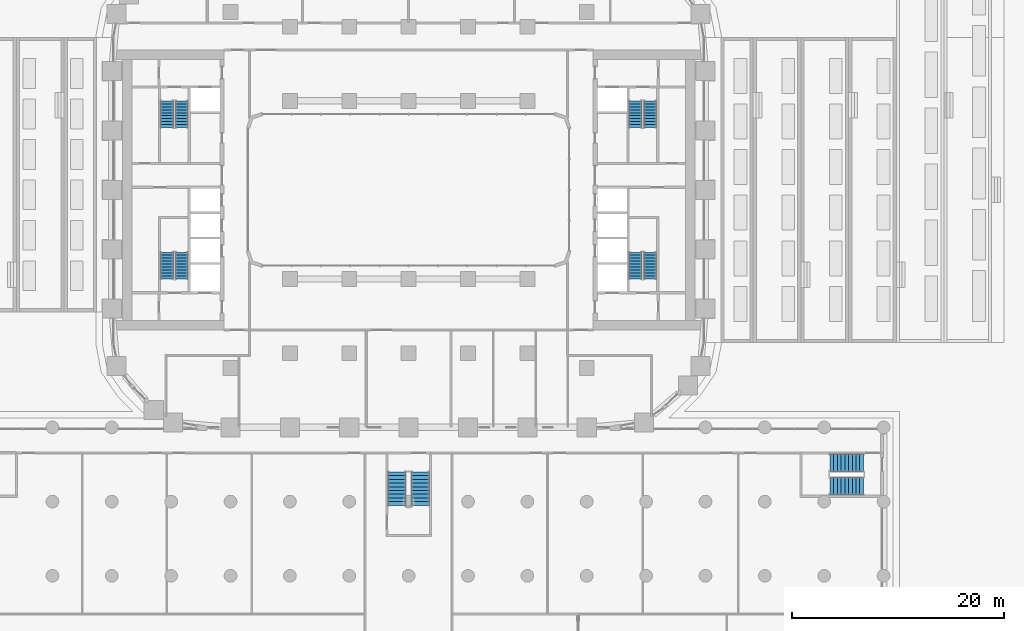
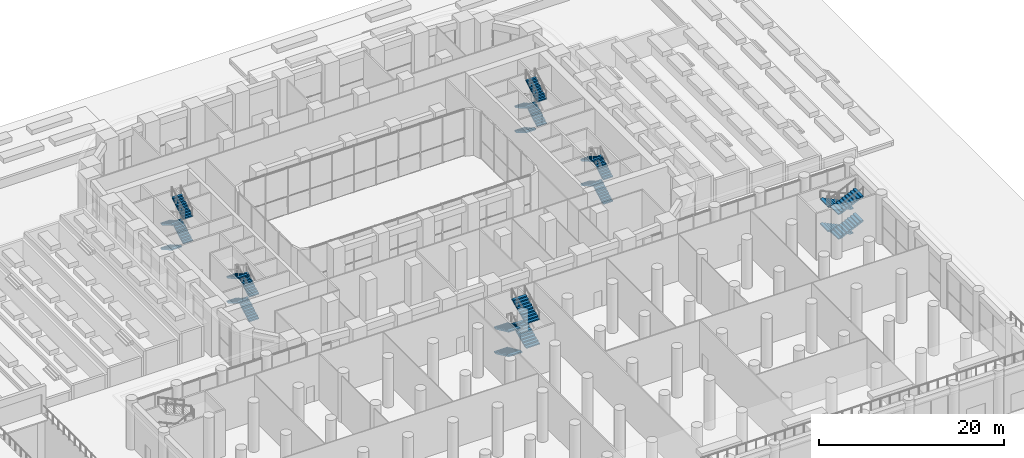
# One storey, part 40 of 51: 24 stair flights, 6 elements without a shape of their own.
"""IFC4 building model written with IfcOpenShell, lengths in metres."""

from ifc_helpers import new_model, si_unit, direction, frame, origin, place, context, subcontext, project, spatial, polyline, outline, extrude, material, type_object, element, aggregate, save


model = new_model("IFC4")

# Units and contexts
model_context = context("Model", 3, precision=1e-05, world=origin(), true_north=direction((0.0, 1.0)))
body_context = subcontext(model_context, "Body", "Model", "MODEL_VIEW")
ifc_project = project(units=[si_unit("LENGTHUNIT", "METRE"), si_unit("AREAUNIT", "SQUARE_METRE"), si_unit("VOLUMEUNIT", "CUBIC_METRE"), si_unit("PLANEANGLEUNIT", "RADIAN"), si_unit("MASSUNIT", "GRAM", prefix="KILO")], contexts=[model_context])

# Site, building, storey
site_placement = place(None, origin())
site = spatial("IfcSite", under=ifc_project, at=site_placement, CompositionType="ELEMENT")
building_placement = place(site_placement, origin())
building = spatial("IfcBuilding", under=site, at=building_placement, Name="Kiln Ring Residences", CompositionType="ELEMENT")
storey_placement = place(building_placement, origin())
storey = spatial("IfcBuildingStorey", under=building, at=storey_placement, Name="L00", CompositionType="ELEMENT", Elevation=0.0)

# Stair, stair flights
ifc_material_1 = material(Name="Concrete C40/50", Category="concrete")
stair_type_1 = type_object("IfcStairType", Name="CORE-STAIR", PredefinedType="HALF_TURN_STAIR", material=ifc_material_1)
placement = place(storey_placement, origin())
stair_1 = element("IfcStair", 1, at=placement, inside=storey, type_object=stair_type_1, Name="L00 stair W-STN", PredefinedType="HALF_TURN_STAIR")
ifc_material_2 = material(Name="Concrete C40/50", Category="concrete")
stair_flight_type_1 = type_object("IfcStairFlightType", Name="CORE-STAIR-FLIGHT", PredefinedType="STRAIGHT", material=ifc_material_2)
stair_flight_1_placement = place(storey_placement, frame((-22.800048828125, 8.39990234375, 0.0), z_axis=(0.0, 0.0, 1.0), x_axis=(0.0, -1.0, 0.0)))
stair_flight_1 = element("IfcStairFlight", 2, at=stair_flight_1_placement, type_object=stair_flight_type_1, Name="W-STN flight 1", NumberOfRisers=10, NumberOfTreads=9, PredefinedType="STRAIGHT", RiserHeight=0.1625, TreadLength=0.28, context=body_context, shape_type="SweptSolid", body=[
    extrude(outline(polyline([(0.0, 0.0), (0.0, 0.16259765625), (0.280029296875, 0.16259765625), (0.280029296875, 0.324951171875), (0.56005859375, 0.324951171875), (0.56005859375, 0.487548828125), (0.840087890625, 0.487548828125), (0.840087890625, 0.64990234375), (1.1201171875, 0.64990234375), (1.1201171875, 0.8125), (1.39990234375, 0.8125), (1.39990234375, 0.97509765625), (1.679931640625, 0.97509765625), (1.679931640625, 1.137451171875), (1.9599609375, 1.137451171875), (1.9599609375, 1.300048828125), (2.239990234375, 1.300048828125), (2.239990234375, 1.46240234375), (2.52001953125, 1.46240234375), (2.52001953125, 1.625), (2.52001953125, 1.2890625), (0.298583984375, 0.0), (0.0, 0.0)])), frame((0.0, 0.60009765625, 0.0), z_axis=(0.0, -1.0, 0.0), x_axis=(1.0, 0.0, 0.0)), (0.0, 0.0, 1.0), 1.199951171875),
])
stair_flight_2_placement = place(storey_placement, frame((-21.39990234375, 5.8798828125, 1.625), z_axis=(0.0, 0.0, 1.0), x_axis=(0.0, 1.0, 0.0)))
stair_flight_2 = element("IfcStairFlight", 3, at=stair_flight_2_placement, type_object=stair_flight_type_1, Name="W-STN flight 2", NumberOfRisers=10, NumberOfTreads=9, PredefinedType="STRAIGHT", RiserHeight=0.1625, TreadLength=0.28, context=body_context, shape_type="SweptSolid", body=[
    extrude(outline(polyline([(0.0, 0.0), (0.0, 0.16259765625), (0.280029296875, 0.16259765625), (0.280029296875, 0.324951171875), (0.56005859375, 0.324951171875), (0.56005859375, 0.487548828125), (0.840087890625, 0.487548828125), (0.840087890625, 0.64990234375), (1.1201171875, 0.64990234375), (1.1201171875, 0.8125), (1.39990234375, 0.8125), (1.39990234375, 0.97509765625), (1.679931640625, 0.97509765625), (1.679931640625, 1.137451171875), (1.9599609375, 1.137451171875), (1.9599609375, 1.300048828125), (2.239990234375, 1.300048828125), (2.239990234375, 1.46240234375), (2.52001953125, 1.46240234375), (2.52001953125, 1.625), (2.52001953125, 1.2890625), (0.298583984375, 0.0), (0.0, 0.0)])), frame((0.0, 0.60009765625, 0.0), z_axis=(0.0, -1.0, 0.0), x_axis=(1.0, 0.0, 0.0)), (0.0, 0.0, 1.0), 1.199951171875),
])
stair_flight_3_placement = place(storey_placement, frame((-22.800048828125, 8.39990234375, 3.25), z_axis=(0.0, 0.0, 1.0), x_axis=(0.0, -1.0, 0.0)))
stair_flight_3 = element("IfcStairFlight", 4, at=stair_flight_3_placement, type_object=stair_flight_type_1, Name="W-STN flight 3", NumberOfRisers=10, NumberOfTreads=9, PredefinedType="STRAIGHT", RiserHeight=0.1625, TreadLength=0.28, context=body_context, shape_type="SweptSolid", body=[
    extrude(outline(polyline([(0.0, 0.0), (0.0, 0.16259765625), (0.280029296875, 0.16259765625), (0.280029296875, 0.324951171875), (0.56005859375, 0.324951171875), (0.56005859375, 0.487548828125), (0.840087890625, 0.487548828125), (0.840087890625, 0.64990234375), (1.1201171875, 0.64990234375), (1.1201171875, 0.8125), (1.39990234375, 0.8125), (1.39990234375, 0.97509765625), (1.679931640625, 0.97509765625), (1.679931640625, 1.137451171875), (1.9599609375, 1.137451171875), (1.9599609375, 1.300048828125), (2.239990234375, 1.300048828125), (2.239990234375, 1.46240234375), (2.52001953125, 1.46240234375), (2.52001953125, 1.625), (2.52001953125, 1.2890625), (0.298583984375, 0.0), (0.0, 0.0)])), frame((0.0, 0.60009765625, 0.0), z_axis=(0.0, -1.0, 0.0), x_axis=(1.0, 0.0, 0.0)), (0.0, 0.0, 1.0), 1.199951171875),
])
stair_flight_4_placement = place(storey_placement, frame((-21.39990234375, 5.8798828125, 4.875), z_axis=(0.0, 0.0, 1.0), x_axis=(0.0, 1.0, 0.0)))
stair_flight_4 = element("IfcStairFlight", 5, at=stair_flight_4_placement, type_object=stair_flight_type_1, Name="W-STN flight 4", NumberOfRisers=10, NumberOfTreads=9, PredefinedType="STRAIGHT", RiserHeight=0.1625, TreadLength=0.28, context=body_context, shape_type="SweptSolid", body=[
    extrude(outline(polyline([(0.0, 0.0), (0.0, 0.16259765625), (0.280029296875, 0.16259765625), (0.280029296875, 0.324951171875), (0.56005859375, 0.324951171875), (0.56005859375, 0.487548828125), (0.840087890625, 0.487548828125), (0.840087890625, 0.64990234375), (1.1201171875, 0.64990234375), (1.1201171875, 0.8125), (1.39990234375, 0.8125), (1.39990234375, 0.97509765625), (1.679931640625, 0.97509765625), (1.679931640625, 1.137451171875), (1.9599609375, 1.137451171875), (1.9599609375, 1.300048828125), (2.239990234375, 1.300048828125), (2.239990234375, 1.46240234375), (2.52001953125, 1.46240234375), (2.52001953125, 1.625), (2.52001953125, 1.2890625), (0.298583984375, 0.0), (0.0, 0.0)])), frame((0.0, 0.60009765625, 0.0), z_axis=(0.0, -1.0, 0.0), x_axis=(1.0, 0.0, 0.0)), (0.0, 0.0, 1.0), 1.199951171875),
])
aggregate(stair_1, [stair_flight_1, stair_flight_2, stair_flight_3, stair_flight_4])

stair_2 = element("IfcStair", 6, at=placement, inside=storey, type_object=stair_type_1, Name="L00 stair W-STS", PredefinedType="HALF_TURN_STAIR")
stair_flight_5_placement = place(storey_placement, frame((-21.39990234375, -8.39990234375, 0.0), z_axis=(0.0, 0.0, 1.0), x_axis=(0.0, 1.0, 0.0)))
stair_flight_5 = element("IfcStairFlight", 7, at=stair_flight_5_placement, type_object=stair_flight_type_1, Name="W-STS flight 1", NumberOfRisers=10, NumberOfTreads=9, PredefinedType="STRAIGHT", RiserHeight=0.1625, TreadLength=0.28, context=body_context, shape_type="SweptSolid", body=[
    extrude(outline(polyline([(0.0, 0.0), (0.0, 0.16259765625), (0.280029296875, 0.16259765625), (0.280029296875, 0.324951171875), (0.56005859375, 0.324951171875), (0.56005859375, 0.487548828125), (0.840087890625, 0.487548828125), (0.840087890625, 0.64990234375), (1.1201171875, 0.64990234375), (1.1201171875, 0.8125), (1.39990234375, 0.8125), (1.39990234375, 0.97509765625), (1.679931640625, 0.97509765625), (1.679931640625, 1.137451171875), (1.9599609375, 1.137451171875), (1.9599609375, 1.300048828125), (2.239990234375, 1.300048828125), (2.239990234375, 1.46240234375), (2.52001953125, 1.46240234375), (2.52001953125, 1.625), (2.52001953125, 1.2890625), (0.298583984375, 0.0), (0.0, 0.0)])), frame((0.0, 0.60009765625, 0.0), z_axis=(0.0, -1.0, 0.0), x_axis=(1.0, 0.0, 0.0)), (0.0, 0.0, 1.0), 1.199951171875),
])
stair_flight_6_placement = place(storey_placement, frame((-22.800048828125, -5.8798828125, 1.625), z_axis=(0.0, 0.0, 1.0), x_axis=(0.0, -1.0, 0.0)))
stair_flight_6 = element("IfcStairFlight", 8, at=stair_flight_6_placement, type_object=stair_flight_type_1, Name="W-STS flight 2", NumberOfRisers=10, NumberOfTreads=9, PredefinedType="STRAIGHT", RiserHeight=0.1625, TreadLength=0.28, context=body_context, shape_type="SweptSolid", body=[
    extrude(outline(polyline([(0.0, 0.0), (0.0, 0.16259765625), (0.280029296875, 0.16259765625), (0.280029296875, 0.324951171875), (0.56005859375, 0.324951171875), (0.56005859375, 0.487548828125), (0.840087890625, 0.487548828125), (0.840087890625, 0.64990234375), (1.1201171875, 0.64990234375), (1.1201171875, 0.8125), (1.39990234375, 0.8125), (1.39990234375, 0.97509765625), (1.679931640625, 0.97509765625), (1.679931640625, 1.137451171875), (1.9599609375, 1.137451171875), (1.9599609375, 1.300048828125), (2.239990234375, 1.300048828125), (2.239990234375, 1.46240234375), (2.52001953125, 1.46240234375), (2.52001953125, 1.625), (2.52001953125, 1.2890625), (0.298583984375, 0.0), (0.0, 0.0)])), frame((0.0, 0.60009765625, 0.0), z_axis=(0.0, -1.0, 0.0), x_axis=(1.0, 0.0, 0.0)), (0.0, 0.0, 1.0), 1.199951171875),
])
stair_flight_7_placement = place(storey_placement, frame((-21.39990234375, -8.39990234375, 3.25), z_axis=(0.0, 0.0, 1.0), x_axis=(0.0, 1.0, 0.0)))
stair_flight_7 = element("IfcStairFlight", 9, at=stair_flight_7_placement, type_object=stair_flight_type_1, Name="W-STS flight 3", NumberOfRisers=10, NumberOfTreads=9, PredefinedType="STRAIGHT", RiserHeight=0.1625, TreadLength=0.28, context=body_context, shape_type="SweptSolid", body=[
    extrude(outline(polyline([(0.0, 0.0), (0.0, 0.16259765625), (0.280029296875, 0.16259765625), (0.280029296875, 0.324951171875), (0.56005859375, 0.324951171875), (0.56005859375, 0.487548828125), (0.840087890625, 0.487548828125), (0.840087890625, 0.64990234375), (1.1201171875, 0.64990234375), (1.1201171875, 0.8125), (1.39990234375, 0.8125), (1.39990234375, 0.97509765625), (1.679931640625, 0.97509765625), (1.679931640625, 1.137451171875), (1.9599609375, 1.137451171875), (1.9599609375, 1.300048828125), (2.239990234375, 1.300048828125), (2.239990234375, 1.46240234375), (2.52001953125, 1.46240234375), (2.52001953125, 1.625), (2.52001953125, 1.2890625), (0.298583984375, 0.0), (0.0, 0.0)])), frame((0.0, 0.60009765625, 0.0), z_axis=(0.0, -1.0, 0.0), x_axis=(1.0, 0.0, 0.0)), (0.0, 0.0, 1.0), 1.199951171875),
])
stair_flight_8_placement = place(storey_placement, frame((-22.800048828125, -5.8798828125, 4.875), z_axis=(0.0, 0.0, 1.0), x_axis=(0.0, -1.0, 0.0)))
stair_flight_8 = element("IfcStairFlight", 10, at=stair_flight_8_placement, type_object=stair_flight_type_1, Name="W-STS flight 4", NumberOfRisers=10, NumberOfTreads=9, PredefinedType="STRAIGHT", RiserHeight=0.1625, TreadLength=0.28, context=body_context, shape_type="SweptSolid", body=[
    extrude(outline(polyline([(0.0, 0.0), (0.0, 0.16259765625), (0.280029296875, 0.16259765625), (0.280029296875, 0.324951171875), (0.56005859375, 0.324951171875), (0.56005859375, 0.487548828125), (0.840087890625, 0.487548828125), (0.840087890625, 0.64990234375), (1.1201171875, 0.64990234375), (1.1201171875, 0.8125), (1.39990234375, 0.8125), (1.39990234375, 0.97509765625), (1.679931640625, 0.97509765625), (1.679931640625, 1.137451171875), (1.9599609375, 1.137451171875), (1.9599609375, 1.300048828125), (2.239990234375, 1.300048828125), (2.239990234375, 1.46240234375), (2.52001953125, 1.46240234375), (2.52001953125, 1.625), (2.52001953125, 1.2890625), (0.298583984375, 0.0), (0.0, 0.0)])), frame((0.0, 0.60009765625, 0.0), z_axis=(0.0, -1.0, 0.0), x_axis=(1.0, 0.0, 0.0)), (0.0, 0.0, 1.0), 1.199951171875),
])
aggregate(stair_2, [stair_flight_5, stair_flight_6, stair_flight_7, stair_flight_8])

stair_3 = element("IfcStair", 11, at=placement, inside=storey, type_object=stair_type_1, Name="L00 stair E-STN", PredefinedType="HALF_TURN_STAIR")
stair_flight_9_placement = place(storey_placement, frame((21.39990234375, 8.39990234375, 0.0), z_axis=(0.0, 0.0, 1.0), x_axis=(0.0, -1.0, 0.0)))
stair_flight_9 = element("IfcStairFlight", 12, at=stair_flight_9_placement, type_object=stair_flight_type_1, Name="E-STN flight 1", NumberOfRisers=10, NumberOfTreads=9, PredefinedType="STRAIGHT", RiserHeight=0.1625, TreadLength=0.28, context=body_context, shape_type="SweptSolid", body=[
    extrude(outline(polyline([(0.0, 0.0), (0.0, 0.16259765625), (0.280029296875, 0.16259765625), (0.280029296875, 0.324951171875), (0.56005859375, 0.324951171875), (0.56005859375, 0.487548828125), (0.840087890625, 0.487548828125), (0.840087890625, 0.64990234375), (1.1201171875, 0.64990234375), (1.1201171875, 0.8125), (1.39990234375, 0.8125), (1.39990234375, 0.97509765625), (1.679931640625, 0.97509765625), (1.679931640625, 1.137451171875), (1.9599609375, 1.137451171875), (1.9599609375, 1.300048828125), (2.239990234375, 1.300048828125), (2.239990234375, 1.46240234375), (2.52001953125, 1.46240234375), (2.52001953125, 1.625), (2.52001953125, 1.2890625), (0.298583984375, 0.0), (0.0, 0.0)])), frame((0.0, 0.60009765625, 0.0), z_axis=(0.0, -1.0, 0.0), x_axis=(1.0, 0.0, 0.0)), (0.0, 0.0, 1.0), 1.199951171875),
])
stair_flight_10_placement = place(storey_placement, frame((22.800048828125, 5.8798828125, 1.625), z_axis=(0.0, 0.0, 1.0), x_axis=(0.0, 1.0, 0.0)))
stair_flight_10 = element("IfcStairFlight", 13, at=stair_flight_10_placement, type_object=stair_flight_type_1, Name="E-STN flight 2", NumberOfRisers=10, NumberOfTreads=9, PredefinedType="STRAIGHT", RiserHeight=0.1625, TreadLength=0.28, context=body_context, shape_type="SweptSolid", body=[
    extrude(outline(polyline([(0.0, 0.0), (0.0, 0.16259765625), (0.280029296875, 0.16259765625), (0.280029296875, 0.324951171875), (0.56005859375, 0.324951171875), (0.56005859375, 0.487548828125), (0.840087890625, 0.487548828125), (0.840087890625, 0.64990234375), (1.1201171875, 0.64990234375), (1.1201171875, 0.8125), (1.39990234375, 0.8125), (1.39990234375, 0.97509765625), (1.679931640625, 0.97509765625), (1.679931640625, 1.137451171875), (1.9599609375, 1.137451171875), (1.9599609375, 1.300048828125), (2.239990234375, 1.300048828125), (2.239990234375, 1.46240234375), (2.52001953125, 1.46240234375), (2.52001953125, 1.625), (2.52001953125, 1.2890625), (0.298583984375, 0.0), (0.0, 0.0)])), frame((0.0, 0.60009765625, 0.0), z_axis=(0.0, -1.0, 0.0), x_axis=(1.0, 0.0, 0.0)), (0.0, 0.0, 1.0), 1.199951171875),
])
stair_flight_11_placement = place(storey_placement, frame((21.39990234375, 8.39990234375, 3.25), z_axis=(0.0, 0.0, 1.0), x_axis=(0.0, -1.0, 0.0)))
stair_flight_11 = element("IfcStairFlight", 14, at=stair_flight_11_placement, type_object=stair_flight_type_1, Name="E-STN flight 3", NumberOfRisers=10, NumberOfTreads=9, PredefinedType="STRAIGHT", RiserHeight=0.1625, TreadLength=0.28, context=body_context, shape_type="SweptSolid", body=[
    extrude(outline(polyline([(0.0, 0.0), (0.0, 0.16259765625), (0.280029296875, 0.16259765625), (0.280029296875, 0.324951171875), (0.56005859375, 0.324951171875), (0.56005859375, 0.487548828125), (0.840087890625, 0.487548828125), (0.840087890625, 0.64990234375), (1.1201171875, 0.64990234375), (1.1201171875, 0.8125), (1.39990234375, 0.8125), (1.39990234375, 0.97509765625), (1.679931640625, 0.97509765625), (1.679931640625, 1.137451171875), (1.9599609375, 1.137451171875), (1.9599609375, 1.300048828125), (2.239990234375, 1.300048828125), (2.239990234375, 1.46240234375), (2.52001953125, 1.46240234375), (2.52001953125, 1.625), (2.52001953125, 1.2890625), (0.298583984375, 0.0), (0.0, 0.0)])), frame((0.0, 0.60009765625, 0.0), z_axis=(0.0, -1.0, 0.0), x_axis=(1.0, 0.0, 0.0)), (0.0, 0.0, 1.0), 1.199951171875),
])
stair_flight_12_placement = place(storey_placement, frame((22.800048828125, 5.8798828125, 4.875), z_axis=(0.0, 0.0, 1.0), x_axis=(0.0, 1.0, 0.0)))
stair_flight_12 = element("IfcStairFlight", 15, at=stair_flight_12_placement, type_object=stair_flight_type_1, Name="E-STN flight 4", NumberOfRisers=10, NumberOfTreads=9, PredefinedType="STRAIGHT", RiserHeight=0.1625, TreadLength=0.28, context=body_context, shape_type="SweptSolid", body=[
    extrude(outline(polyline([(0.0, 0.0), (0.0, 0.16259765625), (0.280029296875, 0.16259765625), (0.280029296875, 0.324951171875), (0.56005859375, 0.324951171875), (0.56005859375, 0.487548828125), (0.840087890625, 0.487548828125), (0.840087890625, 0.64990234375), (1.1201171875, 0.64990234375), (1.1201171875, 0.8125), (1.39990234375, 0.8125), (1.39990234375, 0.97509765625), (1.679931640625, 0.97509765625), (1.679931640625, 1.137451171875), (1.9599609375, 1.137451171875), (1.9599609375, 1.300048828125), (2.239990234375, 1.300048828125), (2.239990234375, 1.46240234375), (2.52001953125, 1.46240234375), (2.52001953125, 1.625), (2.52001953125, 1.2890625), (0.298583984375, 0.0), (0.0, 0.0)])), frame((0.0, 0.60009765625, 0.0), z_axis=(0.0, -1.0, 0.0), x_axis=(1.0, 0.0, 0.0)), (0.0, 0.0, 1.0), 1.199951171875),
])
aggregate(stair_3, [stair_flight_9, stair_flight_10, stair_flight_11, stair_flight_12])

stair_4 = element("IfcStair", 16, at=placement, inside=storey, type_object=stair_type_1, Name="L00 stair E-STS", PredefinedType="HALF_TURN_STAIR")
stair_flight_13_placement = place(storey_placement, frame((22.800048828125, -8.39990234375, 0.0), z_axis=(0.0, 0.0, 1.0), x_axis=(0.0, 1.0, 0.0)))
stair_flight_13 = element("IfcStairFlight", 17, at=stair_flight_13_placement, type_object=stair_flight_type_1, Name="E-STS flight 1", NumberOfRisers=10, NumberOfTreads=9, PredefinedType="STRAIGHT", RiserHeight=0.1625, TreadLength=0.28, context=body_context, shape_type="SweptSolid", body=[
    extrude(outline(polyline([(0.0, 0.0), (0.0, 0.16259765625), (0.280029296875, 0.16259765625), (0.280029296875, 0.324951171875), (0.56005859375, 0.324951171875), (0.56005859375, 0.487548828125), (0.840087890625, 0.487548828125), (0.840087890625, 0.64990234375), (1.1201171875, 0.64990234375), (1.1201171875, 0.8125), (1.39990234375, 0.8125), (1.39990234375, 0.97509765625), (1.679931640625, 0.97509765625), (1.679931640625, 1.137451171875), (1.9599609375, 1.137451171875), (1.9599609375, 1.300048828125), (2.239990234375, 1.300048828125), (2.239990234375, 1.46240234375), (2.52001953125, 1.46240234375), (2.52001953125, 1.625), (2.52001953125, 1.2890625), (0.298583984375, 0.0), (0.0, 0.0)])), frame((0.0, 0.60009765625, 0.0), z_axis=(0.0, -1.0, 0.0), x_axis=(1.0, 0.0, 0.0)), (0.0, 0.0, 1.0), 1.199951171875),
])
stair_flight_14_placement = place(storey_placement, frame((21.39990234375, -5.8798828125, 1.625), z_axis=(0.0, 0.0, 1.0), x_axis=(0.0, -1.0, 0.0)))
stair_flight_14 = element("IfcStairFlight", 18, at=stair_flight_14_placement, type_object=stair_flight_type_1, Name="E-STS flight 2", NumberOfRisers=10, NumberOfTreads=9, PredefinedType="STRAIGHT", RiserHeight=0.1625, TreadLength=0.28, context=body_context, shape_type="SweptSolid", body=[
    extrude(outline(polyline([(0.0, 0.0), (0.0, 0.16259765625), (0.280029296875, 0.16259765625), (0.280029296875, 0.324951171875), (0.56005859375, 0.324951171875), (0.56005859375, 0.487548828125), (0.840087890625, 0.487548828125), (0.840087890625, 0.64990234375), (1.1201171875, 0.64990234375), (1.1201171875, 0.8125), (1.39990234375, 0.8125), (1.39990234375, 0.97509765625), (1.679931640625, 0.97509765625), (1.679931640625, 1.137451171875), (1.9599609375, 1.137451171875), (1.9599609375, 1.300048828125), (2.239990234375, 1.300048828125), (2.239990234375, 1.46240234375), (2.52001953125, 1.46240234375), (2.52001953125, 1.625), (2.52001953125, 1.2890625), (0.298583984375, 0.0), (0.0, 0.0)])), frame((0.0, 0.60009765625, 0.0), z_axis=(0.0, -1.0, 0.0), x_axis=(1.0, 0.0, 0.0)), (0.0, 0.0, 1.0), 1.199951171875),
])
stair_flight_15_placement = place(storey_placement, frame((22.800048828125, -8.39990234375, 3.25), z_axis=(0.0, 0.0, 1.0), x_axis=(0.0, 1.0, 0.0)))
stair_flight_15 = element("IfcStairFlight", 19, at=stair_flight_15_placement, type_object=stair_flight_type_1, Name="E-STS flight 3", NumberOfRisers=10, NumberOfTreads=9, PredefinedType="STRAIGHT", RiserHeight=0.1625, TreadLength=0.28, context=body_context, shape_type="SweptSolid", body=[
    extrude(outline(polyline([(0.0, 0.0), (0.0, 0.16259765625), (0.280029296875, 0.16259765625), (0.280029296875, 0.324951171875), (0.56005859375, 0.324951171875), (0.56005859375, 0.487548828125), (0.840087890625, 0.487548828125), (0.840087890625, 0.64990234375), (1.1201171875, 0.64990234375), (1.1201171875, 0.8125), (1.39990234375, 0.8125), (1.39990234375, 0.97509765625), (1.679931640625, 0.97509765625), (1.679931640625, 1.137451171875), (1.9599609375, 1.137451171875), (1.9599609375, 1.300048828125), (2.239990234375, 1.300048828125), (2.239990234375, 1.46240234375), (2.52001953125, 1.46240234375), (2.52001953125, 1.625), (2.52001953125, 1.2890625), (0.298583984375, 0.0), (0.0, 0.0)])), frame((0.0, 0.60009765625, 0.0), z_axis=(0.0, -1.0, 0.0), x_axis=(1.0, 0.0, 0.0)), (0.0, 0.0, 1.0), 1.199951171875),
])
stair_flight_16_placement = place(storey_placement, frame((21.39990234375, -5.8798828125, 4.875), z_axis=(0.0, 0.0, 1.0), x_axis=(0.0, -1.0, 0.0)))
stair_flight_16 = element("IfcStairFlight", 20, at=stair_flight_16_placement, type_object=stair_flight_type_1, Name="E-STS flight 4", NumberOfRisers=10, NumberOfTreads=9, PredefinedType="STRAIGHT", RiserHeight=0.1625, TreadLength=0.28, context=body_context, shape_type="SweptSolid", body=[
    extrude(outline(polyline([(0.0, 0.0), (0.0, 0.16259765625), (0.280029296875, 0.16259765625), (0.280029296875, 0.324951171875), (0.56005859375, 0.324951171875), (0.56005859375, 0.487548828125), (0.840087890625, 0.487548828125), (0.840087890625, 0.64990234375), (1.1201171875, 0.64990234375), (1.1201171875, 0.8125), (1.39990234375, 0.8125), (1.39990234375, 0.97509765625), (1.679931640625, 0.97509765625), (1.679931640625, 1.137451171875), (1.9599609375, 1.137451171875), (1.9599609375, 1.300048828125), (2.239990234375, 1.300048828125), (2.239990234375, 1.46240234375), (2.52001953125, 1.46240234375), (2.52001953125, 1.625), (2.52001953125, 1.2890625), (0.298583984375, 0.0), (0.0, 0.0)])), frame((0.0, 0.60009765625, 0.0), z_axis=(0.0, -1.0, 0.0), x_axis=(1.0, 0.0, 0.0)), (0.0, 0.0, 1.0), 1.199951171875),
])
aggregate(stair_4, [stair_flight_13, stair_flight_14, stair_flight_15, stair_flight_16])

ifc_material_3 = material(Name="Concrete C40/50", Category="concrete")
stair_type_2 = type_object("IfcStairType", Name="PODIUM-STAIR", PredefinedType="HALF_TURN_STAIR", material=ifc_material_3)
stair_5 = element("IfcStair", 21, at=placement, inside=storey, type_object=stair_type_2, Name="L00 exit stair PS-E", PredefinedType="HALF_TURN_STAIR")
ifc_material_4 = material(Name="Concrete C40/50", Category="concrete")
stair_flight_type_2 = type_object("IfcStairFlightType", Name="PODIUM-STAIR-FLIGHT", PredefinedType="STRAIGHT", material=ifc_material_4)
stair_flight_17_placement = place(storey_placement, frame((42.89990234375, -25.75, 0.0), z_axis=(0.0, 0.0, 1.0), x_axis=(-1.0, 0.0, 0.0)))
stair_flight_17 = element("IfcStairFlight", 22, at=stair_flight_17_placement, type_object=stair_flight_type_2, Name="PS-E flight 1", NumberOfRisers=10, NumberOfTreads=9, PredefinedType="STRAIGHT", RiserHeight=0.1625, TreadLength=0.35, context=body_context, shape_type="SweptSolid", body=[
    extrude(outline(polyline([(0.0, 0.0), (0.0, 0.16259765625), (0.35009765625, 0.16259765625), (0.35009765625, 0.324951171875), (0.699951171875, 0.324951171875), (0.699951171875, 0.487548828125), (1.050048828125, 0.487548828125), (1.050048828125, 0.64990234375), (1.39990234375, 0.64990234375), (1.39990234375, 0.8125), (1.75, 0.8125), (1.75, 0.97509765625), (2.10009765625, 0.97509765625), (2.10009765625, 1.137451171875), (2.449951171875, 1.137451171875), (2.449951171875, 1.300048828125), (2.800048828125, 1.300048828125), (2.800048828125, 1.46240234375), (3.14990234375, 1.46240234375), (3.14990234375, 1.625), (3.14990234375, 1.297119140625), (0.35595703125, 0.0), (0.0, 0.0)])), frame((0.0, 0.85009765625, 0.0), z_axis=(0.0, -1.0, 0.0), x_axis=(1.0, 0.0, 0.0)), (0.0, 0.0, 1.0), 1.699951171875),
])
stair_flight_18_placement = place(storey_placement, frame((39.75, -27.949951171875, 1.625), z_axis=(0.0, 0.0, 1.0), x_axis=(1.0, 0.0, 0.0)))
stair_flight_18 = element("IfcStairFlight", 23, at=stair_flight_18_placement, type_object=stair_flight_type_2, Name="PS-E flight 2", NumberOfRisers=10, NumberOfTreads=9, PredefinedType="STRAIGHT", RiserHeight=0.1625, TreadLength=0.35, context=body_context, shape_type="SweptSolid", body=[
    extrude(outline(polyline([(0.0, 0.0), (0.0, 0.16259765625), (0.35009765625, 0.16259765625), (0.35009765625, 0.324951171875), (0.699951171875, 0.324951171875), (0.699951171875, 0.487548828125), (1.050048828125, 0.487548828125), (1.050048828125, 0.64990234375), (1.39990234375, 0.64990234375), (1.39990234375, 0.8125), (1.75, 0.8125), (1.75, 0.97509765625), (2.10009765625, 0.97509765625), (2.10009765625, 1.137451171875), (2.449951171875, 1.137451171875), (2.449951171875, 1.300048828125), (2.800048828125, 1.300048828125), (2.800048828125, 1.46240234375), (3.14990234375, 1.46240234375), (3.14990234375, 1.625), (3.14990234375, 1.297119140625), (0.35595703125, 0.0), (0.0, 0.0)])), frame((0.0, 0.85009765625, 0.0), z_axis=(0.0, -1.0, 0.0), x_axis=(1.0, 0.0, 0.0)), (0.0, 0.0, 1.0), 1.699951171875),
])
stair_flight_19_placement = place(storey_placement, frame((42.89990234375, -25.75, 3.25), z_axis=(0.0, 0.0, 1.0), x_axis=(-1.0, 0.0, 0.0)))
stair_flight_19 = element("IfcStairFlight", 24, at=stair_flight_19_placement, type_object=stair_flight_type_2, Name="PS-E flight 3", NumberOfRisers=10, NumberOfTreads=9, PredefinedType="STRAIGHT", RiserHeight=0.1625, TreadLength=0.35, context=body_context, shape_type="SweptSolid", body=[
    extrude(outline(polyline([(0.0, 0.0), (0.0, 0.16259765625), (0.35009765625, 0.16259765625), (0.35009765625, 0.324951171875), (0.699951171875, 0.324951171875), (0.699951171875, 0.487548828125), (1.050048828125, 0.487548828125), (1.050048828125, 0.64990234375), (1.39990234375, 0.64990234375), (1.39990234375, 0.8125), (1.75, 0.8125), (1.75, 0.97509765625), (2.10009765625, 0.97509765625), (2.10009765625, 1.137451171875), (2.449951171875, 1.137451171875), (2.449951171875, 1.300048828125), (2.800048828125, 1.300048828125), (2.800048828125, 1.46240234375), (3.14990234375, 1.46240234375), (3.14990234375, 1.625), (3.14990234375, 1.297119140625), (0.35595703125, 0.0), (0.0, 0.0)])), frame((0.0, 0.85009765625, 0.0), z_axis=(0.0, -1.0, 0.0), x_axis=(1.0, 0.0, 0.0)), (0.0, 0.0, 1.0), 1.699951171875),
])
stair_flight_20_placement = place(storey_placement, frame((39.75, -27.949951171875, 4.875), z_axis=(0.0, 0.0, 1.0), x_axis=(1.0, 0.0, 0.0)))
stair_flight_20 = element("IfcStairFlight", 25, at=stair_flight_20_placement, type_object=stair_flight_type_2, Name="PS-E flight 4", NumberOfRisers=10, NumberOfTreads=9, PredefinedType="STRAIGHT", RiserHeight=0.1625, TreadLength=0.35, context=body_context, shape_type="SweptSolid", body=[
    extrude(outline(polyline([(0.0, 0.0), (0.0, 0.16259765625), (0.35009765625, 0.16259765625), (0.35009765625, 0.324951171875), (0.699951171875, 0.324951171875), (0.699951171875, 0.487548828125), (1.050048828125, 0.487548828125), (1.050048828125, 0.64990234375), (1.39990234375, 0.64990234375), (1.39990234375, 0.8125), (1.75, 0.8125), (1.75, 0.97509765625), (2.10009765625, 0.97509765625), (2.10009765625, 1.137451171875), (2.449951171875, 1.137451171875), (2.449951171875, 1.300048828125), (2.800048828125, 1.300048828125), (2.800048828125, 1.46240234375), (3.14990234375, 1.46240234375), (3.14990234375, 1.625), (3.14990234375, 1.297119140625), (0.35595703125, 0.0), (0.0, 0.0)])), frame((0.0, 0.85009765625, 0.0), z_axis=(0.0, -1.0, 0.0), x_axis=(1.0, 0.0, 0.0)), (0.0, 0.0, 1.0), 1.699951171875),
])
aggregate(stair_5, [stair_flight_17, stair_flight_18, stair_flight_19, stair_flight_20])

stair_6 = element("IfcStair", 26, at=placement, inside=storey, type_object=stair_type_2, Name="L00 exit stair PS-C", PredefinedType="HALF_TURN_STAIR")
stair_flight_21_placement = place(storey_placement, frame((-1.10009765625, -26.60009765625, 0.0), z_axis=(0.0, 0.0, 1.0), x_axis=(0.0, -1.0, 0.0)))
stair_flight_21 = element("IfcStairFlight", 27, at=stair_flight_21_placement, type_object=stair_flight_type_2, Name="PS-C flight 1", NumberOfRisers=10, NumberOfTreads=9, PredefinedType="STRAIGHT", RiserHeight=0.1625, TreadLength=0.35, context=body_context, shape_type="SweptSolid", body=[
    extrude(outline(polyline([(0.0, 0.0), (0.0, 0.16259765625), (0.35009765625, 0.16259765625), (0.35009765625, 0.324951171875), (0.699951171875, 0.324951171875), (0.699951171875, 0.487548828125), (1.050048828125, 0.487548828125), (1.050048828125, 0.64990234375), (1.39990234375, 0.64990234375), (1.39990234375, 0.8125), (1.75, 0.8125), (1.75, 0.97509765625), (2.10009765625, 0.97509765625), (2.10009765625, 1.137451171875), (2.449951171875, 1.137451171875), (2.449951171875, 1.300048828125), (2.800048828125, 1.300048828125), (2.800048828125, 1.46240234375), (3.14990234375, 1.46240234375), (3.14990234375, 1.625), (3.14990234375, 1.297119140625), (0.35595703125, 0.0), (0.0, 0.0)])), frame((0.0, 0.85009765625, 0.0), z_axis=(0.0, -1.0, 0.0), x_axis=(1.0, 0.0, 0.0)), (0.0, 0.0, 1.0), 1.699951171875),
])
stair_flight_22_placement = place(storey_placement, frame((1.10009765625, -29.75, 1.625), z_axis=(0.0, 0.0, 1.0), x_axis=(0.0, 1.0, 0.0)))
stair_flight_22 = element("IfcStairFlight", 28, at=stair_flight_22_placement, type_object=stair_flight_type_2, Name="PS-C flight 2", NumberOfRisers=10, NumberOfTreads=9, PredefinedType="STRAIGHT", RiserHeight=0.1625, TreadLength=0.35, context=body_context, shape_type="SweptSolid", body=[
    extrude(outline(polyline([(0.0, 0.0), (0.0, 0.16259765625), (0.35009765625, 0.16259765625), (0.35009765625, 0.324951171875), (0.699951171875, 0.324951171875), (0.699951171875, 0.487548828125), (1.050048828125, 0.487548828125), (1.050048828125, 0.64990234375), (1.39990234375, 0.64990234375), (1.39990234375, 0.8125), (1.75, 0.8125), (1.75, 0.97509765625), (2.10009765625, 0.97509765625), (2.10009765625, 1.137451171875), (2.449951171875, 1.137451171875), (2.449951171875, 1.300048828125), (2.800048828125, 1.300048828125), (2.800048828125, 1.46240234375), (3.14990234375, 1.46240234375), (3.14990234375, 1.625), (3.14990234375, 1.297119140625), (0.35595703125, 0.0), (0.0, 0.0)])), frame((0.0, 0.85009765625, 0.0), z_axis=(0.0, -1.0, 0.0), x_axis=(1.0, 0.0, 0.0)), (0.0, 0.0, 1.0), 1.699951171875),
])
stair_flight_23_placement = place(storey_placement, frame((-1.10009765625, -26.60009765625, 3.25), z_axis=(0.0, 0.0, 1.0), x_axis=(0.0, -1.0, 0.0)))
stair_flight_23 = element("IfcStairFlight", 29, at=stair_flight_23_placement, type_object=stair_flight_type_2, Name="PS-C flight 3", NumberOfRisers=10, NumberOfTreads=9, PredefinedType="STRAIGHT", RiserHeight=0.1625, TreadLength=0.35, context=body_context, shape_type="SweptSolid", body=[
    extrude(outline(polyline([(0.0, 0.0), (0.0, 0.16259765625), (0.35009765625, 0.16259765625), (0.35009765625, 0.324951171875), (0.699951171875, 0.324951171875), (0.699951171875, 0.487548828125), (1.050048828125, 0.487548828125), (1.050048828125, 0.64990234375), (1.39990234375, 0.64990234375), (1.39990234375, 0.8125), (1.75, 0.8125), (1.75, 0.97509765625), (2.10009765625, 0.97509765625), (2.10009765625, 1.137451171875), (2.449951171875, 1.137451171875), (2.449951171875, 1.300048828125), (2.800048828125, 1.300048828125), (2.800048828125, 1.46240234375), (3.14990234375, 1.46240234375), (3.14990234375, 1.625), (3.14990234375, 1.297119140625), (0.35595703125, 0.0), (0.0, 0.0)])), frame((0.0, 0.85009765625, 0.0), z_axis=(0.0, -1.0, 0.0), x_axis=(1.0, 0.0, 0.0)), (0.0, 0.0, 1.0), 1.699951171875),
])
stair_flight_24_placement = place(storey_placement, frame((1.10009765625, -29.75, 4.875), z_axis=(0.0, 0.0, 1.0), x_axis=(0.0, 1.0, 0.0)))
stair_flight_24 = element("IfcStairFlight", 30, at=stair_flight_24_placement, type_object=stair_flight_type_2, Name="PS-C flight 4", NumberOfRisers=10, NumberOfTreads=9, PredefinedType="STRAIGHT", RiserHeight=0.1625, TreadLength=0.35, context=body_context, shape_type="SweptSolid", body=[
    extrude(outline(polyline([(0.0, 0.0), (0.0, 0.16259765625), (0.35009765625, 0.16259765625), (0.35009765625, 0.324951171875), (0.699951171875, 0.324951171875), (0.699951171875, 0.487548828125), (1.050048828125, 0.487548828125), (1.050048828125, 0.64990234375), (1.39990234375, 0.64990234375), (1.39990234375, 0.8125), (1.75, 0.8125), (1.75, 0.97509765625), (2.10009765625, 0.97509765625), (2.10009765625, 1.137451171875), (2.449951171875, 1.137451171875), (2.449951171875, 1.300048828125), (2.800048828125, 1.300048828125), (2.800048828125, 1.46240234375), (3.14990234375, 1.46240234375), (3.14990234375, 1.625), (3.14990234375, 1.297119140625), (0.35595703125, 0.0), (0.0, 0.0)])), frame((0.0, 0.85009765625, 0.0), z_axis=(0.0, -1.0, 0.0), x_axis=(1.0, 0.0, 0.0)), (0.0, 0.0, 1.0), 1.699951171875),
])
aggregate(stair_6, [stair_flight_21, stair_flight_22, stair_flight_23, stair_flight_24])

save(model, "model.ifc")
